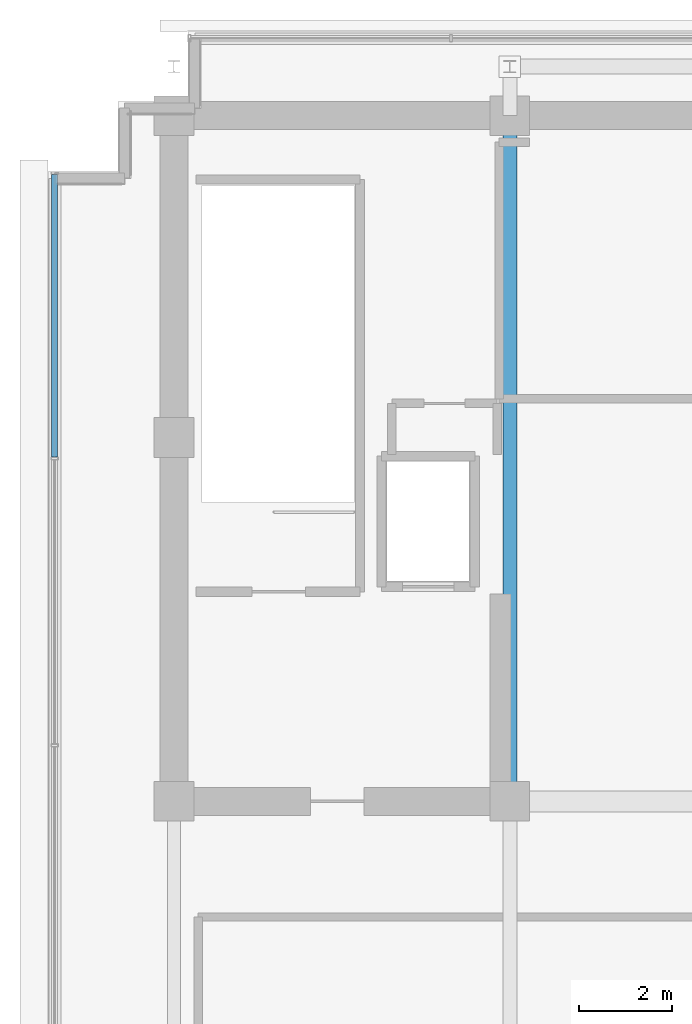
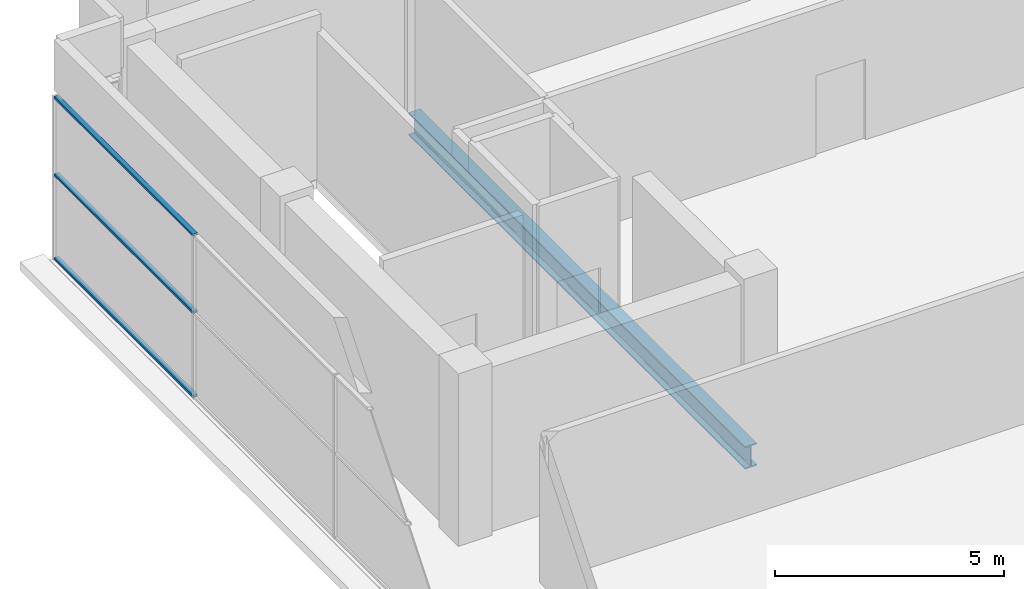
# One storey, part 12 of 22: 3 members, 1 beam, 1 element without a shape of its own.
"""IFC4 building model written with IfcOpenShell, lengths in metres."""

from ifc_helpers import new_model, si_unit, direction, frame, origin, origin_2d, place, context, subcontext, project, spatial, hollow_rectangle, i_section, extrude, source, transform, mapped, material, layer, layer_set, material_profile, profile_set, type_object, element, aggregate, save


model = new_model("IFC4")

# Units and contexts
model_context = context("Model", 3, precision=1e-05, world=origin(), true_north=direction((0.0, 1.0)))
body_context = subcontext(model_context, "Body", "Model", "MODEL_VIEW")
ifc_project = project(units=[si_unit("LENGTHUNIT", "METRE"), si_unit("AREAUNIT", "SQUARE_METRE"), si_unit("VOLUMEUNIT", "CUBIC_METRE"), si_unit("PLANEANGLEUNIT", "RADIAN"), si_unit("MASSUNIT", "GRAM", prefix="KILO")], contexts=[model_context])

# Site, building, storey
site_placement = place(None, origin())
site = spatial("IfcSite", under=ifc_project, at=site_placement, CompositionType="ELEMENT")
building_placement = place(site_placement, origin())
building = spatial("IfcBuilding", under=site, at=building_placement, Name="Zarnakvel Exchange Tower", CompositionType="ELEMENT")
storey_placement = place(building_placement, frame((0.0, 0.0, 299.199951171875)))
storey = spatial("IfcBuildingStorey", under=building, at=storey_placement, Name="Crown L83", CompositionType="ELEMENT", Elevation=299.199951171875)

# Beam
ifc_material_1 = material(Name="Steel S355", Category="steel")
ifc_material_profile_1 = material_profile(ifc_material_1, i_section(OverallWidth=0.300048828125, OverallDepth=0.60009765625, WebThickness=0.015380859375, FlangeThickness=0.030029296875, FilletRadius=0.027099609375, at=origin_2d()))
ifc_profile_set_1 = profile_set([ifc_material_profile_1], Name="Steel S355")
beam_type = type_object("IfcBeamType", Name="G-04", PredefinedType="BEAM", material=ifc_profile_set_1)
beam_placement = place(storey_placement, frame((-7.199951171875, -1.199951171875, -0.52001953125), z_axis=(0.0, 1.0, 0.0), x_axis=(-1.0, 0.0, 0.0)))
element("IfcBeam", 1, at=beam_placement, inside=storey, type_object=beam_type, Name="Crown L83 Tower N-S Frame Beam", PredefinedType="BEAM", context=body_context, shape_type="SweptSolid", body=[
    extrude(i_section(OverallWidth=0.300048828125, OverallDepth=0.60009765625, WebThickness=0.015380859375, FlangeThickness=0.030029296875, FilletRadius=0.027099609375, at=origin_2d()), origin(), (0.0, 0.0, 1.0), 14.699951171875),
])

# Curtain wall, members
ifc_material_2 = material(Name="Architectural Bronze Anodised Aluminium", Category="aluminium")
ifc_layer = layer(ifc_material_2, 0.14990234375)
ifc_layer_set = layer_set([ifc_layer], Name="Architectural Bronze Anodised Aluminium")
curtain_wall_type = type_object("IfcCurtainWallType", Name="CW-07", PredefinedType="NOTDEFINED", material=ifc_layer_set)
curtain_wall_placement = place(storey_placement, origin())
curtain_wall = element("IfcCurtainWall", 2, at=curtain_wall_placement, inside=storey, type_object=curtain_wall_type, Name="Crown L83 Curtain Wall CW-Crown L83-W (CW-07)", PredefinedType="NOTDEFINED")
ifc_material_profile_2 = material_profile(ifc_material_2, hollow_rectangle(XDim=0.1201171875, YDim=0.06005859375, WallThickness=0.00390625, at=origin_2d()))
ifc_profile_set_2 = profile_set([ifc_material_profile_2], Name="Architectural Bronze Anodised Aluminium")
member_type = type_object("IfcMemberType", Name="CWT-07", PredefinedType="USERDEFINED", material=ifc_profile_set_2)
shared_shape = source(origin(), body_context, "Body", "SweptSolid", [
    extrude(hollow_rectangle(XDim=0.1201171875, YDim=0.06005859375, WallThickness=0.00390625, at=origin_2d()), origin(), (0.0, 0.0, 1.0), 6.06005859375),
])
member_1_placement = place(storey_placement, frame((-16.9599609375, 6.179931640625, 0.030029296875), z_axis=(0.0, 1.0, 0.0), x_axis=(-1.0, 0.0, 0.0)))
member_1 = element("IfcMember", 3, at=member_1_placement, type_object=member_type, Name="CW-07 transom 4.1", ObjectType="TRANSOM", PredefinedType="USERDEFINED", context=body_context, shape_type="MappedRepresentation", body=[
    mapped(shared_shape, transform((0.0, 0.0, 0.0), x_axis=(1.0, 0.0, 0.0), y_axis=(0.0, 1.0, 0.0), z_axis=(0.0, 0.0, 1.0), scale=1.0)),
])
member_2_placement = place(storey_placement, frame((-16.9599609375, 6.179931640625, 2.267333984375), z_axis=(0.0, 1.0, 0.0), x_axis=(-1.0, 0.0, 0.0)))
member_2 = element("IfcMember", 4, at=member_2_placement, type_object=member_type, Name="CW-07 transom 4.2", ObjectType="TRANSOM", PredefinedType="USERDEFINED", context=body_context, shape_type="MappedRepresentation", body=[
    mapped(shared_shape, transform((0.0, 0.0, 0.0), x_axis=(1.0, 0.0, 0.0), y_axis=(0.0, 1.0, 0.0), z_axis=(0.0, 0.0, 1.0), scale=1.0)),
])
member_3_placement = place(storey_placement, frame((-16.9599609375, 6.179931640625, 4.330078125), z_axis=(0.0, 1.0, 0.0), x_axis=(-1.0, 0.0, 0.0)))
member_3 = element("IfcMember", 5, at=member_3_placement, type_object=member_type, Name="CW-07 transom 4.3", ObjectType="TRANSOM", PredefinedType="USERDEFINED", context=body_context, shape_type="MappedRepresentation", body=[
    mapped(shared_shape, transform((0.0, 0.0, 0.0), x_axis=(1.0, 0.0, 0.0), y_axis=(0.0, 1.0, 0.0), z_axis=(0.0, 0.0, 1.0), scale=1.0)),
])
aggregate(curtain_wall, [member_1, member_2, member_3])

save(model, "model.ifc")
